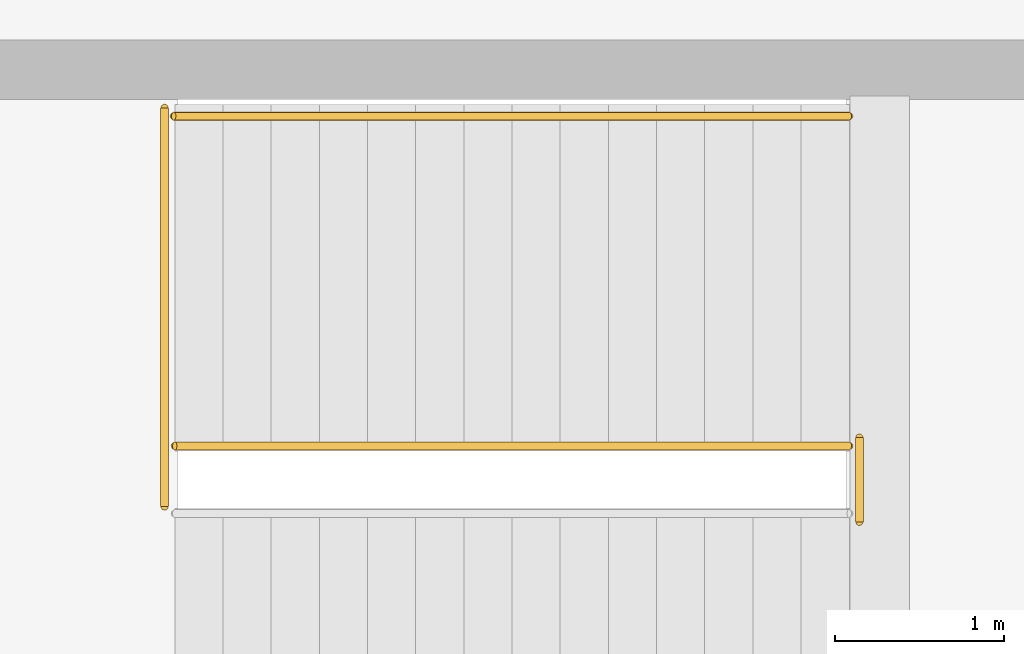
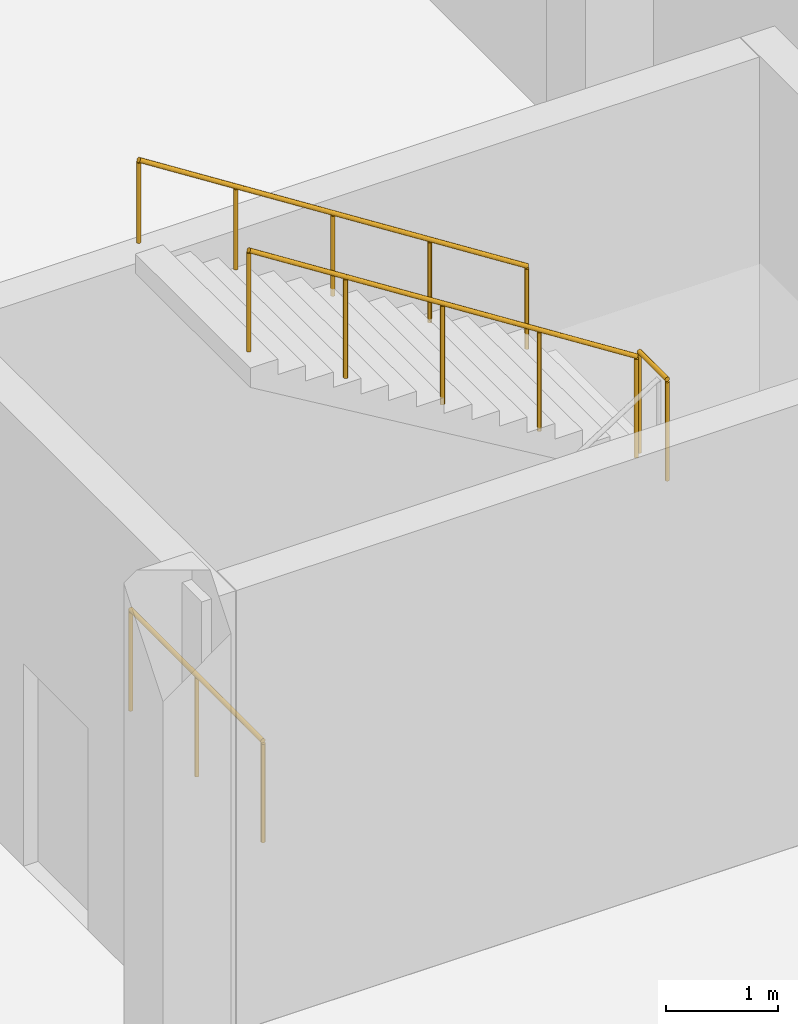
# One storey, part 67 of 73: 4 railings.
"""IFC4 building model written with IfcOpenShell, lengths in metres."""

from ifc_helpers import new_model, si_unit, direction, frame, origin, origin_2d, place, context, subcontext, project, spatial, circle, extrude, material, layer, layer_set, type_object, element, save


model = new_model("IFC4")

# Units and contexts
model_context = context("Model", 3, precision=1e-05, world=origin(), true_north=direction((0.0, 1.0)))
body_context = subcontext(model_context, "Body", "Model", "MODEL_VIEW")
ifc_project = project(units=[si_unit("LENGTHUNIT", "METRE"), si_unit("AREAUNIT", "SQUARE_METRE"), si_unit("VOLUMEUNIT", "CUBIC_METRE"), si_unit("PLANEANGLEUNIT", "RADIAN"), si_unit("MASSUNIT", "GRAM", prefix="KILO")], contexts=[model_context])

# Site, building, storey
site_placement = place(None, origin())
site = spatial("IfcSite", under=ifc_project, at=site_placement, CompositionType="ELEMENT")
building_placement = place(site_placement, origin())
building = spatial("IfcBuilding", under=site, at=building_placement, Name="Meriwether Solvik Hall", CompositionType="ELEMENT")
storey_placement = place(building_placement, origin())
storey = spatial("IfcBuildingStorey", under=building, at=storey_placement, Name="L00", CompositionType="ELEMENT", Elevation=0.0)

# Railings
ifc_material_1 = material(Name="Steel A36 Galvanised", Category="steel")
ifc_layer_1 = layer(ifc_material_1, 0.054931640625)
ifc_layer_set_1 = layer_set([ifc_layer_1], Name="Steel A36 Galvanised")
railing_type_1 = type_object("IfcRailingType", Name="RAIL-STR-GUARD", PredefinedType="GUARDRAIL", material=ifc_layer_set_1)
railing_1_placement = place(storey_placement, frame((20.39990234375, 60.75, 2.550048828125)))
element("IfcRailing", 1, at=railing_1_placement, inside=storey, type_object=railing_type_1, Name="Stair ST-04 Landing Guardrail (L00)", PredefinedType="GUARDRAIL", context=body_context, shape_type="SweptSolid", body=[
    extrude(circle(Radius=0.02392578125, at=origin_2d()), frame((0.0, 0.0, 1.09619140625), z_axis=(0.0, 1.0, 0.0), x_axis=(-1.0, 0.0, 0.0)), (0.0, 0.0, 1.0), 0.5),
    extrude(circle(Radius=0.02099609375, at=origin_2d()), origin(), (0.0, 0.0, 1.0), 1.072021484375),
    extrude(circle(Radius=0.02099609375, at=origin_2d()), frame((0.0, 0.5, 0.0)), (0.0, 0.0, 1.0), 1.072021484375),
])
railing_2_placement = place(storey_placement, frame((16.2900390625, 60.840087890625, 0.0)))
element("IfcRailing", 2, at=railing_2_placement, inside=storey, type_object=railing_type_1, Name="Stair ST-04 Well Guardrail (L00)", PredefinedType="GUARDRAIL", context=body_context, shape_type="SweptSolid", body=[
    extrude(circle(Radius=0.02392578125, at=origin_2d()), frame((0.0, 0.0, 1.09619140625), z_axis=(0.0, 1.0, 0.0), x_axis=(-1.0, 0.0, 0.0)), (0.0, 0.0, 1.0), 2.35986328125),
    extrude(circle(Radius=0.02099609375, at=origin_2d()), origin(), (0.0, 0.0, 1.0), 1.072021484375),
    extrude(circle(Radius=0.02099609375, at=origin_2d()), frame((0.0, 1.179931640625, 0.0)), (0.0, 0.0, 1.0), 1.072021484375),
    extrude(circle(Radius=0.02099609375, at=origin_2d()), frame((0.0, 2.35986328125, 0.0)), (0.0, 0.0, 1.0), 1.072021484375),
])
railing_3_placement = place(storey_placement, frame((20.340087890625, 61.199951171875, 2.550048828125)))
element("IfcRailing", 3, at=railing_3_placement, inside=storey, type_object=railing_type_1, Name="Stair ST-04 Flight 2 Inner Guardrail (L00)", PredefinedType="GUARDRAIL", context=body_context, shape_type="SweptSolid", body=[
    extrude(circle(Radius=0.02392578125, at=origin_2d()), frame((0.0, 0.0, 1.09619140625), z_axis=(-0.842611129269, 0.0, 0.538522501696), x_axis=(0.0, -1.0, 0.0)), (0.0, 0.0, 1.0), 4.7353515625),
    extrude(circle(Radius=0.02099609375, at=origin_2d()), origin(), (0.0, 0.0, 1.0), 1.072021484375),
    extrude(circle(Radius=0.02099609375, at=origin_2d()), frame((-0.99755859375, 0.0, 0.637451171875)), (0.0, 0.0, 1.0), 1.072021484375),
    extrude(circle(Radius=0.02099609375, at=origin_2d()), frame((-1.9951171875, 0.0, 1.27490234375)), (0.0, 0.0, 1.0), 1.072021484375),
    extrude(circle(Radius=0.02099609375, at=origin_2d()), frame((-2.992431640625, 0.0, 1.91259765625)), (0.0, 0.0, 1.0), 1.072021484375),
    extrude(circle(Radius=0.02099609375, at=origin_2d()), frame((-3.989990234375, 0.0, 2.550048828125)), (0.0, 0.0, 1.0), 1.072021484375),
])
ifc_material_2 = material(Name="Stainless Steel AISI 316", Category="steel")
ifc_layer_2 = layer(ifc_material_2, 0.044921875)
ifc_layer_set_2 = layer_set([ifc_layer_2], Name="Stainless Steel AISI 316")
railing_type_2 = type_object("IfcRailingType", Name="RAIL-STR-HAND", PredefinedType="HANDRAIL", material=ifc_layer_set_2)
railing_4_placement = place(storey_placement, frame((20.340087890625, 63.14990234375, 2.550048828125)))
element("IfcRailing", 4, at=railing_4_placement, inside=storey, type_object=railing_type_2, Name="Stair ST-04 Upper Handrail (L00)", PredefinedType="HANDRAIL", context=body_context, shape_type="SweptSolid", body=[
    extrude(circle(Radius=0.02392578125, at=origin_2d()), frame((0.0, 0.0, 0.89599609375), z_axis=(-0.842633969736, 0.0, 0.538486762184), x_axis=(0.0, -1.0, 0.0)), (0.0, 0.0, 1.0), 4.742431640625),
    extrude(circle(Radius=0.02099609375, at=origin_2d()), origin(), (0.0, 0.0, 1.0), 0.871826171875),
    extrude(circle(Radius=0.02099609375, at=origin_2d()), frame((-0.9990234375, 0.0, 0.638427734375)), (0.0, 0.0, 1.0), 0.871826171875),
    extrude(circle(Radius=0.02099609375, at=origin_2d()), frame((-1.998046875, 0.0, 1.27685546875)), (0.0, 0.0, 1.0), 0.871826171875),
    extrude(circle(Radius=0.02099609375, at=origin_2d()), frame((-2.9970703125, 0.0, 1.915283203125)), (0.0, 0.0, 1.0), 0.871826171875),
    extrude(circle(Radius=0.02099609375, at=origin_2d()), frame((-3.99609375, 0.0, 2.5537109375)), (0.0, 0.0, 1.0), 0.871826171875),
])

save(model, "model.ifc")
